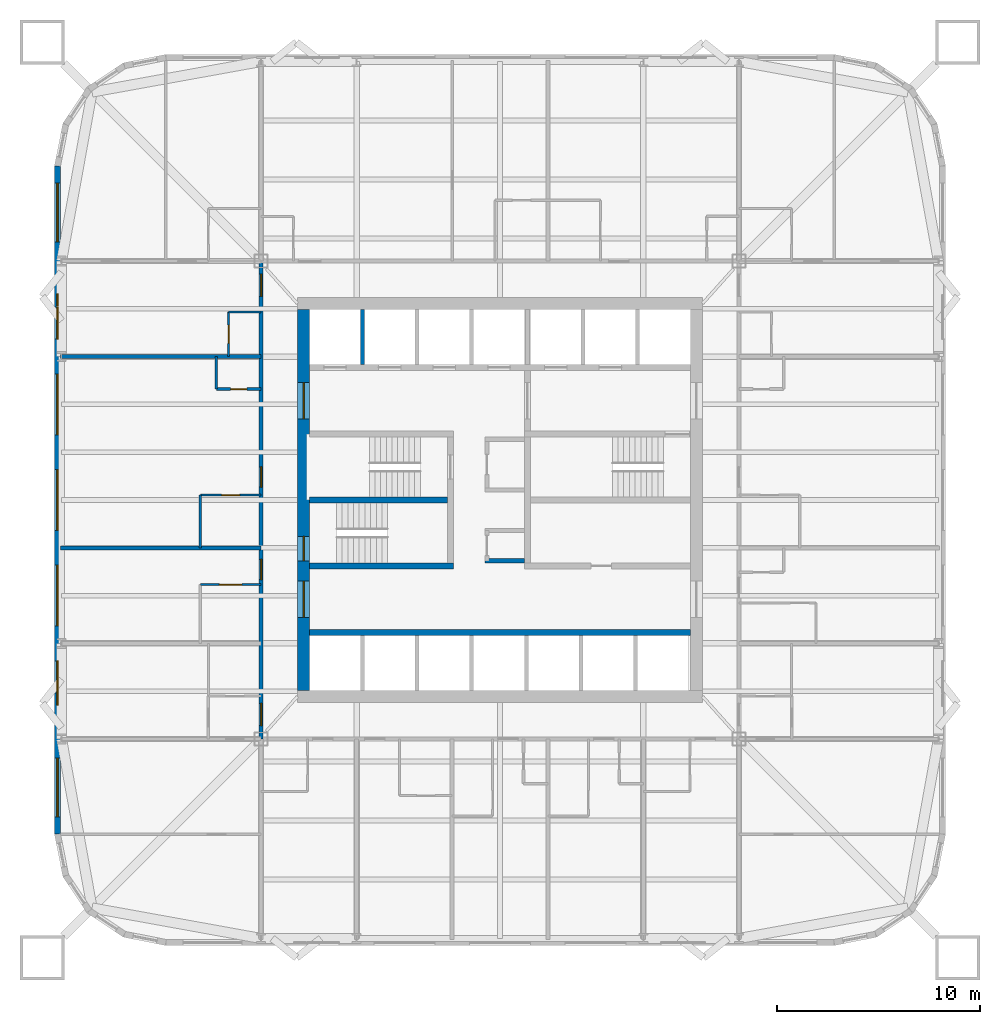
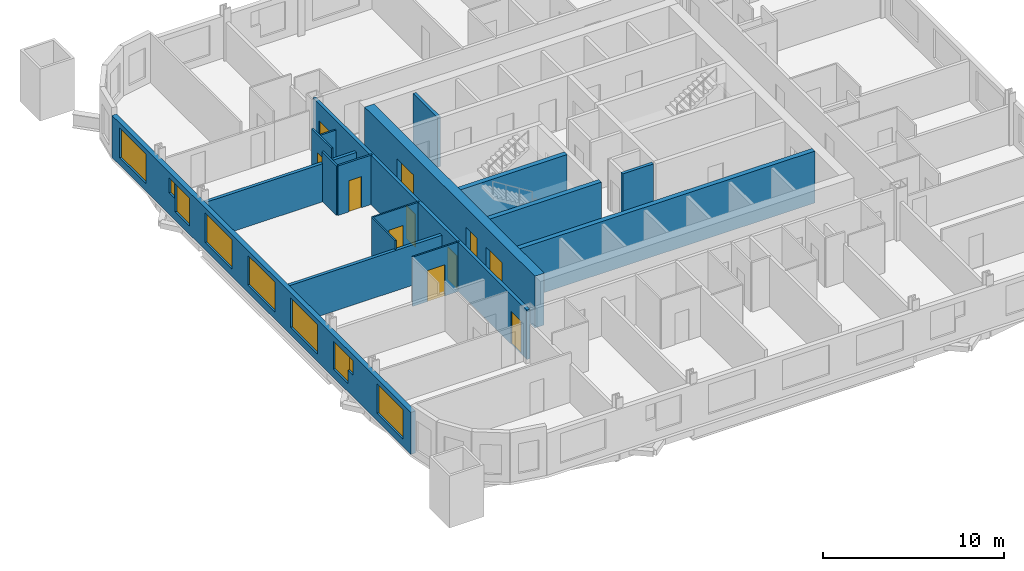
# One storey, part 4 of 10: 17 walls, 11 doors, 9 windows, 20 openings.
"""IFC4 building model written with IfcOpenShell, lengths in metres."""

from ifc_helpers import new_model, si_unit, direction, frame, frame_2d, origin, place, context, subcontext, project, spatial, rectangle, extrude, material, layer, layer_set, type_object, element, fill, save


model = new_model("IFC4")

# Units and contexts
model_context = context("Model", 3, precision=1e-05, world=origin(), true_north=direction((0.0, 1.0)))
body_context = subcontext(model_context, "Body", "Model", "MODEL_VIEW")
ifc_project = project(units=[si_unit("LENGTHUNIT", "METRE"), si_unit("AREAUNIT", "SQUARE_METRE"), si_unit("VOLUMEUNIT", "CUBIC_METRE"), si_unit("PLANEANGLEUNIT", "RADIAN"), si_unit("MASSUNIT", "GRAM", prefix="KILO")], contexts=[model_context])

# Site, building, storey
site_placement = place(None, origin())
site = spatial("IfcSite", under=ifc_project, at=site_placement, CompositionType="ELEMENT")
building_placement = place(site_placement, origin())
building = spatial("IfcBuilding", under=site, at=building_placement, Name="Turquesa Mirador Hotel Tower", CompositionType="ELEMENT")
storey_placement = place(building_placement, frame((0.0, 0.0, 70.5)))
storey = spatial("IfcBuildingStorey", under=building, at=storey_placement, Name="L18", CompositionType="ELEMENT", Elevation=70.5)

# Wall, opening, door
ifc_material_1 = material(Name="Gypsum board on steel studs", Category="steel")
ifc_layer_1 = layer(ifc_material_1, 0.10009765625)
ifc_layer_set_1 = layer_set([ifc_layer_1], Name="BATHROOM WALL 100")
wall_type_1 = type_object("IfcWallType", Name="BATHROOM WALL 100", PredefinedType="PARTITIONING", material=ifc_layer_set_1)
wall_1_placement = place(storey_placement, frame((40.199951171875, 40.820068359375, 0.0), z_axis=(0.0, 0.0, 1.0), x_axis=(1.0, 0.0, 0.0)))
wall_1 = element("IfcWall", 1, at=wall_1_placement, inside=storey, type_object=wall_type_1, Name="Partition L18 016", PredefinedType="PARTITIONING", context=body_context, shape_type="SweptSolid", body=[
    extrude(rectangle(XDim=3.0, YDim=0.10009765625, at=frame_2d((1.5, 0.0))), origin(), (0.0, 0.0, 1.0), 3.330078125),
])
opening_1_placement = place(wall_1_placement, frame((0.949951171875, 0.0, 0.0)))
opening_1 = element("IfcOpeningElement", 2, at=opening_1_placement, cuts=wall_1, Name="Opening D16", PredefinedType="OPENING", context=body_context, shape_type="SweptSolid", body=[
    extrude(rectangle(XDim=1.10009765625, YDim=2.10009765625, at=frame_2d((0.550048828125, 1.050048828125))), frame((0.0, 0.06005859375, 0.0), z_axis=(0.0, -1.0, 0.0), x_axis=(1.0, 0.0, 0.0)), (0.0, 0.0, 1.0), 0.1201171875),
])
ifc_material_2 = material(Name="Timber veneered sliding door", Category="wood")
door_type_1 = type_object("IfcDoorType", Name="DOOR 1100X2100 ACCESSIBLE EN-SUITE", OperationType="SLIDING_TO_LEFT", PredefinedType="DOOR", material=ifc_material_2)
door_1_placement = place(opening_1_placement, origin())
door_1 = element("IfcDoor", 3, at=door_1_placement, inside=storey, type_object=door_type_1, Name="Door 1810B", OperationType="SLIDING_TO_LEFT", OverallHeight=2.10009765625, OverallWidth=1.10009765625, PredefinedType="DOOR", context=body_context, shape_type="SweptSolid", body=[
    extrude(rectangle(XDim=1.10009765625, YDim=2.10009765625, at=frame_2d((0.550048828125, 1.050048828125))), frame((0.0, 0.02490234375, 0.0), z_axis=(0.0, -1.0, 0.0), x_axis=(1.0, 0.0, 0.0)), (0.0, 0.0, 1.0), 0.050048828125),
])
fill(opening_1, door_1)

wall_2_placement = place(storey_placement, frame((40.199951171875, 45.239990234375, 0.0), z_axis=(0.0, 0.0, 1.0), x_axis=(1.0, 0.0, 0.0)))
wall_2 = element("IfcWall", 4, at=wall_2_placement, inside=storey, type_object=wall_type_1, Name="Partition L18 022", PredefinedType="PARTITIONING", context=body_context, shape_type="SweptSolid", body=[
    extrude(rectangle(XDim=3.0, YDim=0.10009765625, at=frame_2d((1.5, 0.0))), origin(), (0.0, 0.0, 1.0), 3.330078125),
])
opening_2_placement = place(wall_2_placement, frame((1.050048828125, 0.0, 0.0)))
opening_2 = element("IfcOpeningElement", 5, at=opening_2_placement, cuts=wall_2, Name="Opening D02", PredefinedType="OPENING", context=body_context, shape_type="SweptSolid", body=[
    extrude(rectangle(XDim=0.89990234375, YDim=2.10009765625, at=frame_2d((0.449951171875, 1.050048828125))), frame((0.0, 0.06005859375, 0.0), z_axis=(0.0, -1.0, 0.0), x_axis=(1.0, 0.0, 0.0)), (0.0, 0.0, 1.0), 0.1201171875),
])
ifc_material_3 = material(Name="Timber veneered door", Category="wood")
door_type_2 = type_object("IfcDoorType", Name="DOOR 900X2100 EN-SUITE", OperationType="SINGLE_SWING_RIGHT", PredefinedType="DOOR", material=ifc_material_3)
door_2_placement = place(opening_2_placement, origin())
door_2 = element("IfcDoor", 6, at=door_2_placement, inside=storey, type_object=door_type_2, Name="Door 1811B", OperationType="SINGLE_SWING_RIGHT", OverallHeight=2.10009765625, OverallWidth=0.89990234375, PredefinedType="DOOR", context=body_context, shape_type="SweptSolid", body=[
    extrude(rectangle(XDim=0.89990234375, YDim=2.10009765625, at=frame_2d((0.449951171875, 1.050048828125))), frame((0.0, 0.02490234375, 0.0), z_axis=(0.0, -1.0, 0.0), x_axis=(1.0, 0.0, 0.0)), (0.0, 0.0, 1.0), 0.050048828125),
])
fill(opening_2, door_2)

# Wall
wall_3_placement = place(storey_placement, frame((41.60009765625, 54.280029296875, 0.0), z_axis=(0.0, 0.0, 1.0), x_axis=(1.0, 0.0, 0.0)))
element("IfcWall", 7, at=wall_3_placement, inside=storey, type_object=wall_type_1, Name="Partition L18 038", PredefinedType="PARTITIONING", context=body_context, shape_type="SweptSolid", body=[
    extrude(rectangle(XDim=1.599853515625, YDim=0.10009765625, at=frame_2d((0.7998046875, 0.0))), origin(), (0.0, 0.0, 1.0), 2.722900390625),
])

# Wall, opening, door
wall_4_placement = place(storey_placement, frame((41.60009765625, 52.080078125, 0.0), z_axis=(0.0, 0.0, 1.0), x_axis=(0.0, 1.0, 0.0)))
wall_4 = element("IfcWall", 8, at=wall_4_placement, inside=storey, type_object=wall_type_1, Name="Partition L18 046", PredefinedType="PARTITIONING", context=body_context, shape_type="SweptSolid", body=[
    extrude(rectangle(XDim=2.199951171875, YDim=0.10009765625, at=frame_2d((1.10009765625, 0.0))), origin(), (0.0, 0.0, 1.0), 3.330078125),
])
opening_3_placement = place(wall_4_placement, frame((0.64990234375, 0.0, 0.0)))
opening_3 = element("IfcOpeningElement", 9, at=opening_3_placement, cuts=wall_4, Name="Opening D06", PredefinedType="OPENING", context=body_context, shape_type="SweptSolid", body=[
    extrude(rectangle(XDim=0.89990234375, YDim=2.10009765625, at=frame_2d((0.449951171875, 1.050048828125))), frame((0.0, 0.06005859375, 0.0), z_axis=(0.0, -1.0, 0.0), x_axis=(1.0, 0.0, 0.0)), (0.0, 0.0, 1.0), 0.1201171875),
])
ifc_material_4 = material(Name="Laminate door", Category="wood")
door_type_3 = type_object("IfcDoorType", Name="DOOR 900X2100 WC", OperationType="SINGLE_SWING_LEFT", PredefinedType="DOOR", material=ifc_material_4)
door_3_placement = place(opening_3_placement, origin())
door_3 = element("IfcDoor", 10, at=door_3_placement, inside=storey, type_object=door_type_3, Name="Door 1813W", OperationType="SINGLE_SWING_LEFT", OverallHeight=2.10009765625, OverallWidth=0.89990234375, PredefinedType="DOOR", context=body_context, shape_type="SweptSolid", body=[
    extrude(rectangle(XDim=0.89990234375, YDim=2.10009765625, at=frame_2d((0.449951171875, 1.050048828125))), frame((0.0, 0.02490234375, 0.0), z_axis=(0.0, -1.0, 0.0), x_axis=(1.0, 0.0, 0.0)), (0.0, 0.0, 1.0), 0.050048828125),
])
fill(opening_3, door_3)

# Walls
wall_5_placement = place(storey_placement, frame((40.199951171875, 42.639892578125, 0.0), z_axis=(0.0, 0.0, 1.0), x_axis=(0.0, 1.0, 0.0)))
element("IfcWall", 11, at=wall_5_placement, inside=storey, type_object=wall_type_1, Name="Partition L18 052", PredefinedType="PARTITIONING", context=body_context, shape_type="SweptSolid", body=[
    extrude(rectangle(XDim=2.60009765625, YDim=0.10009765625, at=frame_2d((1.300048828125, 0.0))), origin(), (0.0, 0.0, 1.0), 3.330078125),
])
ifc_material_5 = material(Name="Concrete C50/60", Category="concrete")
ifc_layer_2 = layer(ifc_material_5, 0.300048828125)
ifc_layer_set_2 = layer_set([ifc_layer_2], Name="CORE INNER WALL 300")
wall_type_2 = type_object("IfcWallType", Name="CORE INNER WALL 300", PredefinedType="SHEAR", material=ifc_layer_set_2)
wall_6_placement = place(storey_placement, frame((45.60009765625, 38.449951171875, 0.0), z_axis=(0.0, 0.0, 1.0), x_axis=(1.0, 0.0, 0.0)))
element("IfcWall", 12, at=wall_6_placement, inside=storey, type_object=wall_type_2, Name="Core wall SL", PredefinedType="SHEAR", context=body_context, shape_type="SweptSolid", body=[
    extrude(rectangle(XDim=18.7998046875, YDim=0.300048828125, at=frame_2d((9.39990234375, 0.0))), origin(), (0.0, 0.0, 1.0), 3.5),
])
wall_7_placement = place(storey_placement, frame((45.60009765625, 41.75, 0.0), z_axis=(0.0, 0.0, 1.0), x_axis=(1.0, 0.0, 0.0)))
element("IfcWall", 13, at=wall_7_placement, inside=storey, type_object=wall_type_2, Name="Core wall MS-W", PredefinedType="SHEAR", context=body_context, shape_type="SweptSolid", body=[
    extrude(rectangle(XDim=7.099853515625, YDim=0.300048828125, at=frame_2d((3.5498046875, 0.0))), origin(), (0.0, 0.0, 1.0), 3.5),
])
wall_8_placement = place(storey_placement, frame((45.60009765625, 45.0, 0.0), z_axis=(0.0, 0.0, 1.0), x_axis=(1.0, 0.0, 0.0)))
element("IfcWall", 14, at=wall_8_placement, inside=storey, type_object=wall_type_2, Name="Core wall M0-W", PredefinedType="SHEAR", context=body_context, shape_type="SweptSolid", body=[
    extrude(rectangle(XDim=6.7998046875, YDim=0.300048828125, at=frame_2d((3.39990234375, 0.0))), origin(), (0.0, 0.0, 1.0), 3.5),
])

# Wall, openings, doors
ifc_material_6 = material(Name="Concrete C50/60", Category="concrete")
ifc_layer_3 = layer(ifc_material_6, 0.60009765625)
ifc_layer_set_3 = layer_set([ifc_layer_3], Name="CORE WALL 600")
wall_type_3 = type_object("IfcWallType", Name="CORE WALL 600", PredefinedType="SHEAR", material=ifc_layer_set_3)
wall_9_placement = place(storey_placement, frame((45.300048828125, 35.60009765625, 0.0), z_axis=(0.0, 0.0, 1.0), x_axis=(0.0, 1.0, 0.0)))
wall_9 = element("IfcWall", 15, at=wall_9_placement, inside=storey, type_object=wall_type_3, Name="Core wall W", PredefinedType="SHEAR", context=body_context, shape_type="SweptSolid", body=[
    extrude(rectangle(XDim=18.7998046875, YDim=0.60009765625, at=frame_2d((9.39990234375, 0.0))), origin(), (0.0, 0.0, 1.0), 3.5),
])
opening_4_placement = place(wall_9_placement, frame((13.39990234375, 0.0, 0.0)))
opening_4 = element("IfcOpeningElement", 16, at=opening_4_placement, cuts=wall_9, Name="Opening D04", PredefinedType="OPENING", context=body_context, shape_type="SweptSolid", body=[
    extrude(rectangle(XDim=1.800048828125, YDim=2.199951171875, at=frame_2d((0.89990234375, 1.10009765625))), frame((0.0, 0.31005859375, 0.0), z_axis=(0.0, -1.0, 0.0), x_axis=(1.0, 0.0, 0.0)), (0.0, 0.0, 1.0), 0.6201171875),
])
opening_5_placement = place(wall_9_placement, frame((3.60009765625, 0.0, 0.0)))
opening_5 = element("IfcOpeningElement", 17, at=opening_5_placement, cuts=wall_9, Name="Opening D04", PredefinedType="OPENING", context=body_context, shape_type="SweptSolid", body=[
    extrude(rectangle(XDim=1.800048828125, YDim=2.199951171875, at=frame_2d((0.89990234375, 1.10009765625))), frame((0.0, 0.31005859375, 0.0), z_axis=(0.0, -1.0, 0.0), x_axis=(1.0, 0.0, 0.0)), (0.0, 0.0, 1.0), 0.6201171875),
])
opening_6_placement = place(wall_9_placement, frame((6.39990234375, 0.0, 0.0)))
opening_6 = element("IfcOpeningElement", 18, at=opening_6_placement, cuts=wall_9, Name="Opening D03", PredefinedType="OPENING", context=body_context, shape_type="SweptSolid", body=[
    extrude(rectangle(XDim=1.199951171875, YDim=2.199951171875, at=frame_2d((0.60009765625, 1.10009765625))), frame((0.0, 0.31005859375, 0.0), z_axis=(0.0, -1.0, 0.0), x_axis=(1.0, 0.0, 0.0)), (0.0, 0.0, 1.0), 0.6201171875),
])
ifc_material_7 = material(Name="Steel fire door", Category="steel")
door_type_4 = type_object("IfcDoorType", Name="DOOR 1200X2200 STAIR", OperationType="SINGLE_SWING_LEFT", PredefinedType="DOOR", material=ifc_material_7)
door_4_placement = place(opening_6_placement, origin())
door_4 = element("IfcDoor", 19, at=door_4_placement, inside=storey, type_object=door_type_4, Name="Stair ST2 door", OperationType="SINGLE_SWING_LEFT", OverallHeight=2.199951171875, OverallWidth=1.199951171875, PredefinedType="DOOR", context=body_context, shape_type="SweptSolid", body=[
    extrude(rectangle(XDim=1.199951171875, YDim=2.199951171875, at=frame_2d((0.60009765625, 1.10009765625))), frame((0.0, 0.02490234375, 0.0), z_axis=(0.0, -1.0, 0.0), x_axis=(1.0, 0.0, 0.0)), (0.0, 0.0, 1.0), 0.050048828125),
])
fill(opening_6, door_4)
ifc_material_8 = material(Name="Steel fire door pair", Category="steel")
door_type_5 = type_object("IfcDoorType", Name="DOOR 1800X2200 PAIR", OperationType="DOUBLE_DOOR_SINGLE_SWING", PredefinedType="DOOR", material=ifc_material_8)
door_5_placement = place(opening_4_placement, origin())
door_5 = element("IfcDoor", 20, at=door_5_placement, inside=storey, type_object=door_type_5, Name="North lift lobby door", OperationType="DOUBLE_DOOR_SINGLE_SWING", OverallHeight=2.199951171875, OverallWidth=1.800048828125, PredefinedType="DOOR", context=body_context, shape_type="SweptSolid", body=[
    extrude(rectangle(XDim=1.800048828125, YDim=2.199951171875, at=frame_2d((0.89990234375, 1.10009765625))), frame((0.0, 0.02490234375, 0.0), z_axis=(0.0, -1.0, 0.0), x_axis=(1.0, 0.0, 0.0)), (0.0, 0.0, 1.0), 0.050048828125),
])
fill(opening_4, door_5)
door_6_placement = place(opening_5_placement, origin())
door_6 = element("IfcDoor", 21, at=door_6_placement, inside=storey, type_object=door_type_5, Name="South lift lobby door", OperationType="DOUBLE_DOOR_SINGLE_SWING", OverallHeight=2.199951171875, OverallWidth=1.800048828125, PredefinedType="DOOR", context=body_context, shape_type="SweptSolid", body=[
    extrude(rectangle(XDim=1.800048828125, YDim=2.199951171875, at=frame_2d((0.89990234375, 1.10009765625))), frame((0.0, 0.02490234375, 0.0), z_axis=(0.0, -1.0, 0.0), x_axis=(1.0, 0.0, 0.0)), (0.0, 0.0, 1.0), 0.050048828125),
])
fill(opening_5, door_6)

ifc_material_9 = material(Name="Fire-rated gypsum board on steel studs", Category="steel")
ifc_layer_4 = layer(ifc_material_9, 0.199951171875)
ifc_layer_set_4 = layer_set([ifc_layer_4], Name="CORRIDOR WALL 200")
wall_type_4 = type_object("IfcWallType", Name="CORRIDOR WALL 200", PredefinedType="PARTITIONING", material=ifc_layer_set_4)
wall_10_placement = place(storey_placement, frame((43.199951171875, 33.199951171875, 0.0), z_axis=(0.0, 0.0, 1.0), x_axis=(0.0, 1.0, 0.0)))
wall_10 = element("IfcWall", 22, at=wall_10_placement, inside=storey, type_object=wall_type_4, Name="Partition L18 043", PredefinedType="PARTITIONING", context=body_context, shape_type="SweptSolid", body=[
    extrude(rectangle(XDim=23.60009765625, YDim=0.199951171875, at=frame_2d((11.800048828125, 0.0))), origin(), (0.0, 0.0, 1.0), 3.330078125),
])
opening_7_placement = place(wall_10_placement, frame((7.8701171875, 0.0, 0.0)))
opening_7 = element("IfcOpeningElement", 23, at=opening_7_placement, cuts=wall_10, Name="Opening D01", PredefinedType="OPENING", context=body_context, shape_type="SweptSolid", body=[
    extrude(rectangle(XDim=1.0, YDim=2.199951171875, at=frame_2d((0.5, 1.10009765625))), frame((0.0, 0.10986328125, 0.0), z_axis=(0.0, -1.0, 0.0), x_axis=(1.0, 0.0, 0.0)), (0.0, 0.0, 1.0), 0.219970703125),
])
opening_8_placement = place(wall_10_placement, frame((12.43994140625, 0.0, 0.0)))
opening_8 = element("IfcOpeningElement", 24, at=opening_8_placement, cuts=wall_10, Name="Opening D01", PredefinedType="OPENING", context=body_context, shape_type="SweptSolid", body=[
    extrude(rectangle(XDim=1.0, YDim=2.199951171875, at=frame_2d((0.5, 1.10009765625))), frame((0.0, 0.10986328125, 0.0), z_axis=(0.0, -1.0, 0.0), x_axis=(1.0, 0.0, 0.0)), (0.0, 0.0, 1.0), 0.219970703125),
])
opening_9_placement = place(wall_10_placement, frame((21.85009765625, 0.0, 0.0)))
opening_9 = element("IfcOpeningElement", 25, at=opening_9_placement, cuts=wall_10, Name="Opening D15", PredefinedType="OPENING", context=body_context, shape_type="SweptSolid", body=[
    extrude(rectangle(XDim=1.10009765625, YDim=2.199951171875, at=frame_2d((0.550048828125, 1.10009765625))), frame((0.0, 0.10986328125, 0.0), z_axis=(0.0, -1.0, 0.0), x_axis=(1.0, 0.0, 0.0)), (0.0, 0.0, 1.0), 0.219970703125),
])
opening_10_placement = place(wall_10_placement, frame((0.659912109375, 0.0, 0.0)))
opening_10 = element("IfcOpeningElement", 26, at=opening_10_placement, cuts=wall_10, Name="Opening D15", PredefinedType="OPENING", context=body_context, shape_type="SweptSolid", body=[
    extrude(rectangle(XDim=1.10009765625, YDim=2.199951171875, at=frame_2d((0.550048828125, 1.10009765625))), frame((0.0, 0.10986328125, 0.0), z_axis=(0.0, -1.0, 0.0), x_axis=(1.0, 0.0, 0.0)), (0.0, 0.0, 1.0), 0.219970703125),
])
ifc_material_10 = material(Name="Timber veneered fire door", Category="wood")
door_type_6 = type_object("IfcDoorType", Name="DOOR 1000X2200 GUEST ENTRY", OperationType="SINGLE_SWING_LEFT", PredefinedType="DOOR", material=ifc_material_10)
door_7_placement = place(opening_7_placement, origin())
door_7 = element("IfcDoor", 27, at=door_7_placement, inside=storey, type_object=door_type_6, Name="Door 1810", OperationType="SINGLE_SWING_LEFT", OverallHeight=2.199951171875, OverallWidth=1.0, PredefinedType="DOOR", context=body_context, shape_type="SweptSolid", body=[
    extrude(rectangle(XDim=1.0, YDim=2.199951171875, at=frame_2d((0.5, 1.10009765625))), frame((0.0, 0.02490234375, 0.0), z_axis=(0.0, -1.0, 0.0), x_axis=(1.0, 0.0, 0.0)), (0.0, 0.0, 1.0), 0.050048828125),
])
fill(opening_7, door_7)
door_8_placement = place(opening_8_placement, origin())
door_8 = element("IfcDoor", 28, at=door_8_placement, inside=storey, type_object=door_type_6, Name="Door 1811", OperationType="SINGLE_SWING_LEFT", OverallHeight=2.199951171875, OverallWidth=1.0, PredefinedType="DOOR", context=body_context, shape_type="SweptSolid", body=[
    extrude(rectangle(XDim=1.0, YDim=2.199951171875, at=frame_2d((0.5, 1.10009765625))), frame((0.0, 0.02490234375, 0.0), z_axis=(0.0, -1.0, 0.0), x_axis=(1.0, 0.0, 0.0)), (0.0, 0.0, 1.0), 0.050048828125),
])
fill(opening_8, door_8)
ifc_material_11 = material(Name="Timber veneered fire door", Category="wood")
door_type_7 = type_object("IfcDoorType", Name="DOOR 1100X2200 SUITE ENTRY", OperationType="SINGLE_SWING_LEFT", PredefinedType="DOOR", material=ifc_material_11)
door_9_placement = place(opening_9_placement, origin())
door_9 = element("IfcDoor", 29, at=door_9_placement, inside=storey, type_object=door_type_7, Name="Door 1813", OperationType="SINGLE_SWING_LEFT", OverallHeight=2.199951171875, OverallWidth=1.10009765625, PredefinedType="DOOR", context=body_context, shape_type="SweptSolid", body=[
    extrude(rectangle(XDim=1.10009765625, YDim=2.199951171875, at=frame_2d((0.550048828125, 1.10009765625))), frame((0.0, 0.02490234375, 0.0), z_axis=(0.0, -1.0, 0.0), x_axis=(1.0, 0.0, 0.0)), (0.0, 0.0, 1.0), 0.050048828125),
])
fill(opening_9, door_9)
door_10_placement = place(opening_10_placement, origin())
door_10 = element("IfcDoor", 30, at=door_10_placement, inside=storey, type_object=door_type_7, Name="Door 1814H", OperationType="SINGLE_SWING_LEFT", OverallHeight=2.199951171875, OverallWidth=1.10009765625, PredefinedType="DOOR", context=body_context, shape_type="SweptSolid", body=[
    extrude(rectangle(XDim=1.10009765625, YDim=2.199951171875, at=frame_2d((0.550048828125, 1.10009765625))), frame((0.0, 0.02490234375, 0.0), z_axis=(0.0, -1.0, 0.0), x_axis=(1.0, 0.0, 0.0)), (0.0, 0.0, 1.0), 0.050048828125),
])
fill(opening_10, door_10)

# Wall, openings, windows
ifc_material_12 = material(Name="Limestone cladding on concrete block", Category="masonry")
ifc_layer_5 = layer(ifc_material_12, 0.300048828125)
ifc_layer_set_5 = layer_set([ifc_layer_5], Name="FACADE WALL 300 STONE SCREEN")
wall_type_5 = type_object("IfcWallType", Name="FACADE WALL 300 STONE SCREEN", PredefinedType="SOLIDWALL", material=ifc_layer_set_5)
wall_11_placement = place(storey_placement, frame((33.14990234375, 61.5, 0.0), z_axis=(0.0, 0.0, 1.0), x_axis=(0.0, -1.0, 0.0)))
wall_11 = element("IfcWall", 31, at=wall_11_placement, inside=storey, type_object=wall_type_5, Name="Facade wall L18 14", PredefinedType="SOLIDWALL", context=body_context, shape_type="SweptSolid", body=[
    extrude(rectangle(XDim=33.0, YDim=0.300048828125, at=frame_2d((16.5, 0.0))), origin(), (0.0, 0.0, 1.0), 2.830078125),
])
opening_11_placement = place(wall_11_placement, frame((0.85009765625, 0.0, 0.5)))
opening_11 = element("IfcOpeningElement", 32, at=opening_11_placement, cuts=wall_11, Name="Opening WN54", PredefinedType="OPENING", context=body_context, shape_type="SweptSolid", body=[
    extrude(rectangle(XDim=2.89990234375, YDim=2.0, at=frame_2d((1.449951171875, 1.0))), frame((0.0, 0.159912109375, 0.0), z_axis=(0.0, -1.0, 0.0), x_axis=(1.0, 0.0, 0.0)), (0.0, 0.0, 1.0), 0.320068359375),
])
opening_12_placement = place(wall_11_placement, frame((6.9599609375, 0.0, 0.550048828125)))
opening_12 = element("IfcOpeningElement", 33, at=opening_12_placement, cuts=wall_11, Name="Opening WN44", PredefinedType="OPENING", context=body_context, shape_type="SweptSolid", body=[
    extrude(rectangle(XDim=1.60009765625, YDim=1.89990234375, at=frame_2d((0.800048828125, 0.949951171875))), frame((0.0, 0.159912109375, 0.0), z_axis=(0.0, -1.0, 0.0), x_axis=(1.0, 0.0, 0.0)), (0.0, 0.0, 1.0), 0.320068359375),
])
opening_13_placement = place(wall_11_placement, frame((10.280029296875, 0.0, 0.5)))
opening_13 = element("IfcOpeningElement", 34, at=opening_13_placement, cuts=wall_11, Name="Opening WN1", PredefinedType="OPENING", context=body_context, shape_type="SweptSolid", body=[
    extrude(rectangle(XDim=3.0, YDim=2.0, at=frame_2d((1.5, 1.0))), frame((0.0, 0.159912109375, 0.0), z_axis=(0.0, -1.0, 0.0), x_axis=(1.0, 0.0, 0.0)), (0.0, 0.0, 1.0), 0.320068359375),
])
opening_14_placement = place(wall_11_placement, frame((15.0, 0.0, 0.5)))
opening_14 = element("IfcOpeningElement", 35, at=opening_14_placement, cuts=wall_11, Name="Opening WN1", PredefinedType="OPENING", context=body_context, shape_type="SweptSolid", body=[
    extrude(rectangle(XDim=3.0, YDim=2.0, at=frame_2d((1.5, 1.0))), frame((0.0, 0.159912109375, 0.0), z_axis=(0.0, -1.0, 0.0), x_axis=(1.0, 0.0, 0.0)), (0.0, 0.0, 1.0), 0.320068359375),
])
opening_15_placement = place(wall_11_placement, frame((19.719970703125, 0.0, 0.5)))
opening_15 = element("IfcOpeningElement", 36, at=opening_15_placement, cuts=wall_11, Name="Opening WN1", PredefinedType="OPENING", context=body_context, shape_type="SweptSolid", body=[
    extrude(rectangle(XDim=3.0, YDim=2.0, at=frame_2d((1.5, 1.0))), frame((0.0, 0.159912109375, 0.0), z_axis=(0.0, -1.0, 0.0), x_axis=(1.0, 0.0, 0.0)), (0.0, 0.0, 1.0), 0.320068359375),
])
opening_16_placement = place(wall_11_placement, frame((24.43994140625, 0.0, 0.550048828125)))
opening_16 = element("IfcOpeningElement", 37, at=opening_16_placement, cuts=wall_11, Name="Opening WN44", PredefinedType="OPENING", context=body_context, shape_type="SweptSolid", body=[
    extrude(rectangle(XDim=1.60009765625, YDim=1.89990234375, at=frame_2d((0.800048828125, 0.949951171875))), frame((0.0, 0.159912109375, 0.0), z_axis=(0.0, -1.0, 0.0), x_axis=(1.0, 0.0, 0.0)), (0.0, 0.0, 1.0), 0.320068359375),
])
opening_17_placement = place(wall_11_placement, frame((29.25, 0.0, 0.5)))
opening_17 = element("IfcOpeningElement", 38, at=opening_17_placement, cuts=wall_11, Name="Opening WN54", PredefinedType="OPENING", context=body_context, shape_type="SweptSolid", body=[
    extrude(rectangle(XDim=2.89990234375, YDim=2.0, at=frame_2d((1.449951171875, 1.0))), frame((0.0, 0.159912109375, 0.0), z_axis=(0.0, -1.0, 0.0), x_axis=(1.0, 0.0, 0.0)), (0.0, 0.0, 1.0), 0.320068359375),
])
opening_18_placement = place(wall_11_placement, frame((6.31005859375, 0.0, 1.449951171875)))
opening_18 = element("IfcOpeningElement", 39, at=opening_18_placement, cuts=wall_11, Name="Opening WN29", PredefinedType="OPENING", context=body_context, shape_type="SweptSolid", body=[
    extrude(rectangle(XDim=0.60009765625, YDim=1.0, at=frame_2d((0.300048828125, 0.5))), frame((0.0, 0.159912109375, 0.0), z_axis=(0.0, -1.0, 0.0), x_axis=(1.0, 0.0, 0.0)), (0.0, 0.0, 1.0), 0.320068359375),
])
opening_19_placement = place(wall_11_placement, frame((26.0400390625, 0.0, 1.449951171875)))
opening_19 = element("IfcOpeningElement", 40, at=opening_19_placement, cuts=wall_11, Name="Opening WN29", PredefinedType="OPENING", context=body_context, shape_type="SweptSolid", body=[
    extrude(rectangle(XDim=0.60009765625, YDim=1.0, at=frame_2d((0.300048828125, 0.5))), frame((0.0, 0.159912109375, 0.0), z_axis=(0.0, -1.0, 0.0), x_axis=(1.0, 0.0, 0.0)), (0.0, 0.0, 1.0), 0.320068359375),
])
ifc_material_13 = material(Name="Ceramic-fritted laminated glass", Category="glass")
window_type_1 = type_object("IfcWindowType", Name="FRITTED WINDOW 1600X1900", PartitioningType="DOUBLE_PANEL_HORIZONTAL", PredefinedType="WINDOW", material=ifc_material_13)
window_1_placement = place(opening_12_placement, origin())
window_1 = element("IfcWindow", 41, at=window_1_placement, inside=storey, type_object=window_type_1, Name="Window L18", OverallHeight=1.89990234375, OverallWidth=1.60009765625, PartitioningType="SINGLE_PANEL", PredefinedType="WINDOW", context=body_context, shape_type="SweptSolid", body=[
    extrude(rectangle(XDim=1.60009765625, YDim=1.89990234375, at=frame_2d((0.800048828125, 0.949951171875))), frame((0.0, 0.030029296875, 0.0), z_axis=(0.0, -1.0, 0.0), x_axis=(1.0, 0.0, 0.0)), (0.0, 0.0, 1.0), 0.06005859375),
])
fill(opening_12, window_1)
window_2_placement = place(opening_16_placement, origin())
window_2 = element("IfcWindow", 42, at=window_2_placement, inside=storey, type_object=window_type_1, Name="Window L18", OverallHeight=1.89990234375, OverallWidth=1.60009765625, PartitioningType="SINGLE_PANEL", PredefinedType="WINDOW", context=body_context, shape_type="SweptSolid", body=[
    extrude(rectangle(XDim=1.60009765625, YDim=1.89990234375, at=frame_2d((0.800048828125, 0.949951171875))), frame((0.0, 0.030029296875, 0.0), z_axis=(0.0, -1.0, 0.0), x_axis=(1.0, 0.0, 0.0)), (0.0, 0.0, 1.0), 0.06005859375),
])
fill(opening_16, window_2)
ifc_material_14 = material(Name="Ceramic-fritted laminated glass", Category="glass")
window_type_2 = type_object("IfcWindowType", Name="FRITTED WINDOW 2900X2000", PartitioningType="DOUBLE_PANEL_HORIZONTAL", PredefinedType="WINDOW", material=ifc_material_14)
window_3_placement = place(opening_11_placement, origin())
window_3 = element("IfcWindow", 43, at=window_3_placement, inside=storey, type_object=window_type_2, Name="Window L18", OverallHeight=2.0, OverallWidth=2.89990234375, PartitioningType="SINGLE_PANEL", PredefinedType="WINDOW", context=body_context, shape_type="SweptSolid", body=[
    extrude(rectangle(XDim=2.89990234375, YDim=2.0, at=frame_2d((1.449951171875, 1.0))), frame((0.0, 0.030029296875, 0.0), z_axis=(0.0, -1.0, 0.0), x_axis=(1.0, 0.0, 0.0)), (0.0, 0.0, 1.0), 0.06005859375),
])
fill(opening_11, window_3)
window_4_placement = place(opening_17_placement, origin())
window_4 = element("IfcWindow", 44, at=window_4_placement, inside=storey, type_object=window_type_2, Name="Window L18", OverallHeight=2.0, OverallWidth=2.89990234375, PartitioningType="SINGLE_PANEL", PredefinedType="WINDOW", context=body_context, shape_type="SweptSolid", body=[
    extrude(rectangle(XDim=2.89990234375, YDim=2.0, at=frame_2d((1.449951171875, 1.0))), frame((0.0, 0.030029296875, 0.0), z_axis=(0.0, -1.0, 0.0), x_axis=(1.0, 0.0, 0.0)), (0.0, 0.0, 1.0), 0.06005859375),
])
fill(opening_17, window_4)
ifc_material_15 = material(Name="Ceramic-fritted laminated glass", Category="glass")
window_type_3 = type_object("IfcWindowType", Name="FRITTED WINDOW 3000X2000", PartitioningType="DOUBLE_PANEL_HORIZONTAL", PredefinedType="WINDOW", material=ifc_material_15)
window_5_placement = place(opening_13_placement, origin())
window_5 = element("IfcWindow", 45, at=window_5_placement, inside=storey, type_object=window_type_3, Name="Window L18", OverallHeight=2.0, OverallWidth=3.0, PartitioningType="SINGLE_PANEL", PredefinedType="WINDOW", context=body_context, shape_type="SweptSolid", body=[
    extrude(rectangle(XDim=3.0, YDim=2.0, at=frame_2d((1.5, 1.0))), frame((0.0, 0.030029296875, 0.0), z_axis=(0.0, -1.0, 0.0), x_axis=(1.0, 0.0, 0.0)), (0.0, 0.0, 1.0), 0.06005859375),
])
fill(opening_13, window_5)
window_6_placement = place(opening_14_placement, origin())
window_6 = element("IfcWindow", 46, at=window_6_placement, inside=storey, type_object=window_type_3, Name="Window L18", OverallHeight=2.0, OverallWidth=3.0, PartitioningType="SINGLE_PANEL", PredefinedType="WINDOW", context=body_context, shape_type="SweptSolid", body=[
    extrude(rectangle(XDim=3.0, YDim=2.0, at=frame_2d((1.5, 1.0))), frame((0.0, 0.030029296875, 0.0), z_axis=(0.0, -1.0, 0.0), x_axis=(1.0, 0.0, 0.0)), (0.0, 0.0, 1.0), 0.06005859375),
])
fill(opening_14, window_6)
window_7_placement = place(opening_15_placement, origin())
window_7 = element("IfcWindow", 47, at=window_7_placement, inside=storey, type_object=window_type_3, Name="Window L18", OverallHeight=2.0, OverallWidth=3.0, PartitioningType="SINGLE_PANEL", PredefinedType="WINDOW", context=body_context, shape_type="SweptSolid", body=[
    extrude(rectangle(XDim=3.0, YDim=2.0, at=frame_2d((1.5, 1.0))), frame((0.0, 0.030029296875, 0.0), z_axis=(0.0, -1.0, 0.0), x_axis=(1.0, 0.0, 0.0)), (0.0, 0.0, 1.0), 0.06005859375),
])
fill(opening_15, window_7)
ifc_material_16 = material(Name="Ceramic-fritted laminated glass", Category="glass")
window_type_4 = type_object("IfcWindowType", Name="FRITTED WINDOW 600X1000", PartitioningType="DOUBLE_PANEL_HORIZONTAL", PredefinedType="WINDOW", material=ifc_material_16)
window_8_placement = place(opening_18_placement, origin())
window_8 = element("IfcWindow", 48, at=window_8_placement, inside=storey, type_object=window_type_4, Name="Window L18", OverallHeight=1.0, OverallWidth=0.60009765625, PartitioningType="SINGLE_PANEL", PredefinedType="WINDOW", context=body_context, shape_type="SweptSolid", body=[
    extrude(rectangle(XDim=0.60009765625, YDim=1.0, at=frame_2d((0.300048828125, 0.5))), frame((0.0, 0.030029296875, 0.0), z_axis=(0.0, -1.0, 0.0), x_axis=(1.0, 0.0, 0.0)), (0.0, 0.0, 1.0), 0.06005859375),
])
fill(opening_18, window_8)
window_9_placement = place(opening_19_placement, origin())
window_9 = element("IfcWindow", 49, at=window_9_placement, inside=storey, type_object=window_type_4, Name="Window L18", OverallHeight=1.0, OverallWidth=0.60009765625, PartitioningType="SINGLE_PANEL", PredefinedType="WINDOW", context=body_context, shape_type="SweptSolid", body=[
    extrude(rectangle(XDim=0.60009765625, YDim=1.0, at=frame_2d((0.300048828125, 0.5))), frame((0.0, 0.030029296875, 0.0), z_axis=(0.0, -1.0, 0.0), x_axis=(1.0, 0.0, 0.0)), (0.0, 0.0, 1.0), 0.06005859375),
])
fill(opening_19, window_9)

# Walls
ifc_material_17 = material(Name="Fire-rated gypsum board on steel studs", Category="steel")
ifc_layer_6 = layer(ifc_material_17, 0.199951171875)
ifc_layer_set_6 = layer_set([ifc_layer_6], Name="FIRE PARTITION 200")
wall_type_6 = type_object("IfcWallType", Name="FIRE PARTITION 200", PredefinedType="PARTITIONING", material=ifc_layer_set_6)
wall_12_placement = place(storey_placement, frame((54.25, 42.0, 0.0), z_axis=(0.0, 0.0, 1.0), x_axis=(1.0, 0.0, 0.0)))
element("IfcWall", 50, at=wall_12_placement, inside=storey, type_object=wall_type_6, Name="Partition L18 SW S", PredefinedType="PARTITIONING", context=body_context, shape_type="SweptSolid", body=[
    extrude(rectangle(XDim=1.949951171875, YDim=0.199951171875, at=frame_2d((0.97509765625, 0.0))), origin(), (0.0, 0.0, 1.0), 3.330078125),
])
ifc_material_18 = material(Name="Fire-rated gypsum shaft wall on steel studs", Category="steel")
ifc_layer_7 = layer(ifc_material_18, 0.199951171875)
ifc_layer_set_7 = layer_set([ifc_layer_7], Name="LIFT SHAFT DIVIDER 200")
wall_type_7 = type_object("IfcWallType", Name="LIFT SHAFT DIVIDER 200", PredefinedType="PARTITIONING", material=ifc_layer_set_7)
wall_13_placement = place(storey_placement, frame((48.199951171875, 51.699951171875, 0.0), z_axis=(0.0, 0.0, 1.0), x_axis=(0.0, 1.0, 0.0)))
element("IfcWall", 51, at=wall_13_placement, inside=storey, type_object=wall_type_7, Name="Lift shaft divider", PredefinedType="PARTITIONING", context=body_context, shape_type="SweptSolid", body=[
    extrude(rectangle(XDim=2.699951171875, YDim=0.199951171875, at=frame_2d((1.35009765625, 0.0))), origin(), (0.0, 0.0, 1.0), 3.330078125),
])
ifc_material_19 = material(Name="Fire-rated gypsum board on steel studs", Category="steel")
ifc_layer_8 = layer(ifc_material_19, 0.199951171875)
ifc_layer_set_8 = layer_set([ifc_layer_8], Name="PARTY WALL 200")
wall_type_8 = type_object("IfcWallType", Name="PARTY WALL 200", PredefinedType="PARTITIONING", material=ifc_layer_set_8)
wall_14_placement = place(storey_placement, frame((33.300048828125, 42.639892578125, 0.0), z_axis=(0.0, 0.0, 1.0), x_axis=(1.0, 0.0, 0.0)))
element("IfcWall", 52, at=wall_14_placement, inside=storey, type_object=wall_type_8, Name="Partition L18 013", PredefinedType="PARTITIONING", context=body_context, shape_type="SweptSolid", body=[
    extrude(rectangle(XDim=9.89990234375, YDim=0.199951171875, at=frame_2d((4.949951171875, 0.0))), origin(), (0.0, 0.0, 1.0), 2.722900390625),
])
wall_15_placement = place(storey_placement, frame((33.300048828125, 52.080078125, 0.0), z_axis=(0.0, 0.0, 1.0), x_axis=(1.0, 0.0, 0.0)))
element("IfcWall", 53, at=wall_15_placement, inside=storey, type_object=wall_type_8, Name="Partition L18 036", PredefinedType="PARTITIONING", context=body_context, shape_type="SweptSolid", body=[
    extrude(rectangle(XDim=9.89990234375, YDim=0.199951171875, at=frame_2d((4.949951171875, 0.0))), origin(), (0.0, 0.0, 1.0), 2.572998046875),
])

# Wall, opening, door
ifc_material_20 = material(Name="Acoustic gypsum board on steel studs", Category="steel")
ifc_layer_9 = layer(ifc_material_20, 0.125)
ifc_layer_set_9 = layer_set([ifc_layer_9], Name="SUITE PARTITION 125")
wall_type_9 = type_object("IfcWallType", Name="SUITE PARTITION 125", PredefinedType="PARTITIONING", material=ifc_layer_set_9)
wall_16_placement = place(storey_placement, frame((41.0, 50.47998046875, 0.0), z_axis=(0.0, 0.0, 1.0), x_axis=(1.0, 0.0, 0.0)))
wall_16 = element("IfcWall", 54, at=wall_16_placement, inside=storey, type_object=wall_type_9, Name="Partition L18 034", PredefinedType="PARTITIONING", context=body_context, shape_type="SweptSolid", body=[
    extrude(rectangle(XDim=2.199951171875, YDim=0.125, at=frame_2d((1.10009765625, 0.0))), origin(), (0.0, 0.0, 1.0), 3.330078125),
])
opening_20_placement = place(wall_16_placement, frame((0.699951171875, 0.0, 0.0)))
opening_20 = element("IfcOpeningElement", 55, at=opening_20_placement, cuts=wall_16, Name="Opening D20", PredefinedType="OPENING", context=body_context, shape_type="SweptSolid", body=[
    extrude(rectangle(XDim=0.800048828125, YDim=2.10009765625, at=frame_2d((0.39990234375, 1.050048828125))), frame((0.0, 0.072509765625, 0.0), z_axis=(0.0, -1.0, 0.0), x_axis=(1.0, 0.0, 0.0)), (0.0, 0.0, 1.0), 0.14501953125),
])
ifc_material_21 = material(Name="Timber veneered sliding door", Category="wood")
door_type_8 = type_object("IfcDoorType", Name="DOOR 800X2100 WARDROBE", OperationType="SLIDING_TO_LEFT", PredefinedType="DOOR", material=ifc_material_21)
door_11_placement = place(opening_20_placement, origin())
door_11 = element("IfcDoor", 56, at=door_11_placement, inside=storey, type_object=door_type_8, Name="Door 1811W", OperationType="SLIDING_TO_LEFT", OverallHeight=2.10009765625, OverallWidth=0.800048828125, PredefinedType="DOOR", context=body_context, shape_type="SweptSolid", body=[
    extrude(rectangle(XDim=0.800048828125, YDim=2.10009765625, at=frame_2d((0.39990234375, 1.050048828125))), frame((0.0, 0.02490234375, 0.0), z_axis=(0.0, -1.0, 0.0), x_axis=(1.0, 0.0, 0.0)), (0.0, 0.0, 1.0), 0.050048828125),
])
fill(opening_20, door_11)

# Wall
wall_17_placement = place(storey_placement, frame((41.0, 50.47998046875, 0.0), z_axis=(0.0, 0.0, 1.0), x_axis=(0.0, 1.0, 0.0)))
element("IfcWall", 57, at=wall_17_placement, inside=storey, type_object=wall_type_9, Name="Partition L18 047", PredefinedType="PARTITIONING", context=body_context, shape_type="SweptSolid", body=[
    extrude(rectangle(XDim=1.60009765625, YDim=0.125, at=frame_2d((0.800048828125, 0.0))), origin(), (0.0, 0.0, 1.0), 3.330078125),
])

save(model, "model.ifc")
